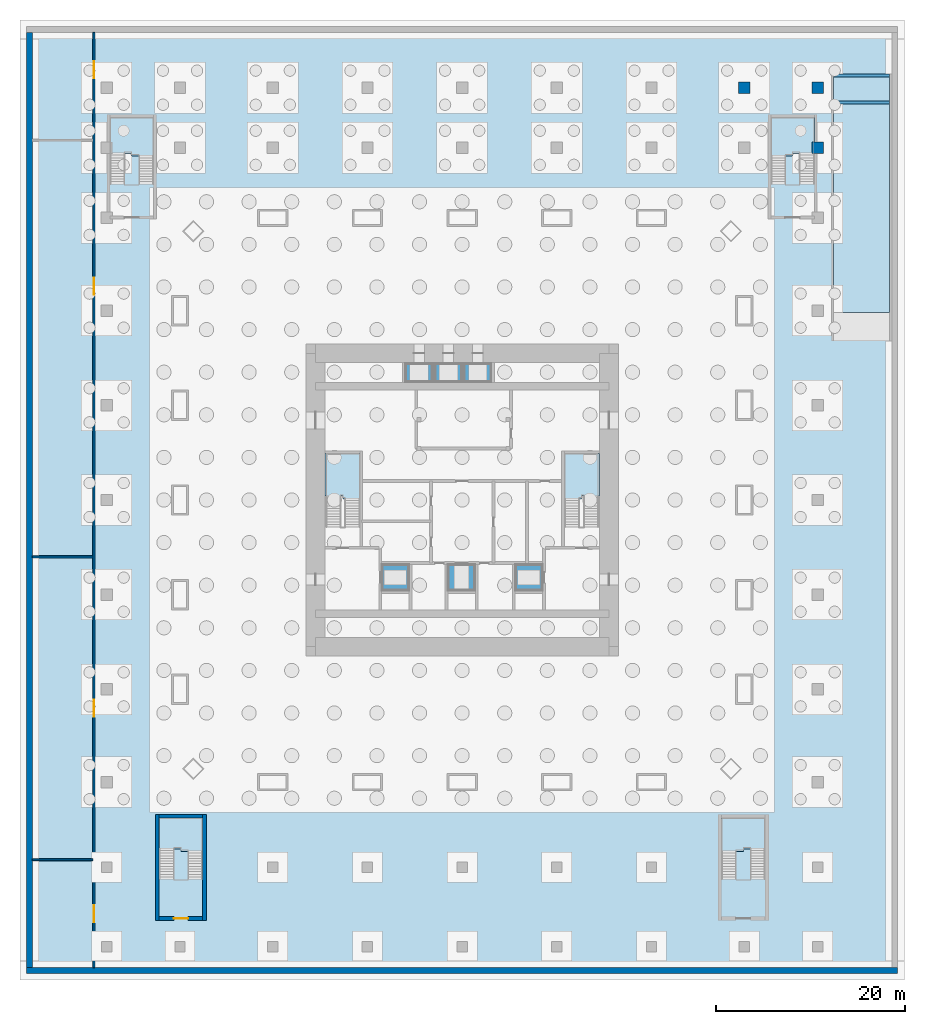
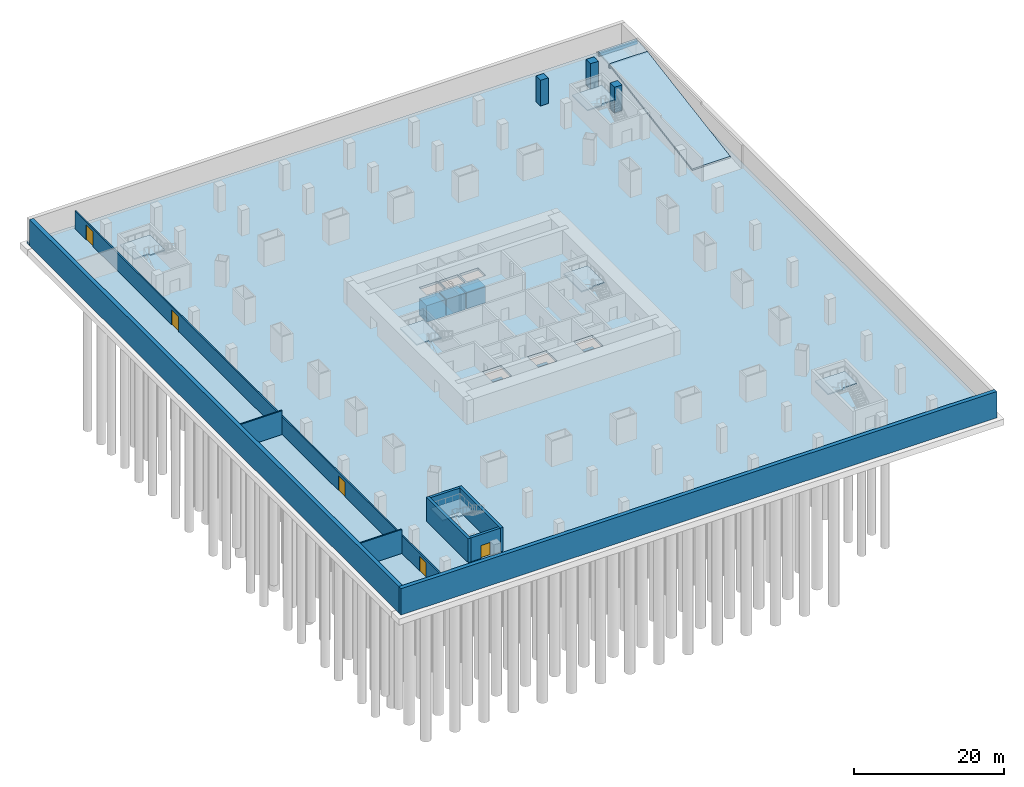
# One storey, part 3 of 11: 15 slabs, 9 walls, 5 doors, 3 columns, 2 beams, 5 openings, 7 elements without a shape of their own.
"""IFC4 building model written with IfcOpenShell, lengths in metres."""

from ifc_helpers import new_model, si_unit, direction, frame, frame_2d, origin, origin_2d, place, context, subcontext, project, spatial, polyline, rectangle, outline, extrude, material, layer, layer_set, material_profile, profile_set, type_object, element, fill, aggregate, save


model = new_model("IFC4")

# Units and contexts
model_context = context("Model", 3, precision=1e-05, world=origin(), true_north=direction((0.0, 1.0)))
body_context = subcontext(model_context, "Body", "Model", "MODEL_VIEW")
ifc_project = project(units=[si_unit("LENGTHUNIT", "METRE"), si_unit("AREAUNIT", "SQUARE_METRE"), si_unit("VOLUMEUNIT", "CUBIC_METRE"), si_unit("PLANEANGLEUNIT", "RADIAN"), si_unit("MASSUNIT", "GRAM", prefix="KILO")], contexts=[model_context])

# Site, building, storey
site_placement = place(None, origin())
site = spatial("IfcSite", under=ifc_project, at=site_placement, CompositionType="ELEMENT")
building_placement = place(site_placement, origin())
building = spatial("IfcBuilding", under=site, at=building_placement, Name="Khuree Lantern Residences", CompositionType="ELEMENT")
storey_placement = place(building_placement, frame((0.0, 0.0, -13.199951171875)))
storey = spatial("IfcBuildingStorey", under=building, at=storey_placement, Name="B3", CompositionType="ELEMENT", Elevation=-13.199951171875)

# Columns
ifc_material_1 = material(Name="Concrete C70/85", Category="concrete")
ifc_material_profile_1 = material_profile(ifc_material_1, rectangle(XDim=1.199951171875, YDim=1.199951171875, at=origin_2d()), Name="RC 1200X1200")
ifc_profile_set_1 = profile_set([ifc_material_profile_1], Name="Concrete C70/85")
column_type = type_object("IfcColumnType", Name="GC1 PODIUM COLUMN RC 1200X1200", PredefinedType="COLUMN", material=ifc_profile_set_1)
for number, where, z_axis, x_axis, name in (
    (1, (37.550048828125, 37.199951171875, -0.400146484375), (0.0, 0.0, 1.0), (1.0, 0.0, 0.0), "Column GC-39"),
    (2, (29.800048828125, 43.550048828125, -0.400146484375), (0.0, 0.0, 1.0), (1.0, 0.0, 0.0), "Column GC-47"),
    (3, (37.550048828125, 43.550048828125, -0.400146484375), (0.0, 0.0, 1.0), (1.0, 0.0, 0.0), "Column GC-48"),
):
    element("IfcColumn", number, at=place(storey_placement, frame(where, z_axis=z_axis, x_axis=x_axis)), inside=storey, type_object=column_type, Name=name, PredefinedType="COLUMN", context=body_context, shape_type="SweptSolid", body=[
        extrude(rectangle(XDim=1.199951171875, YDim=1.199951171875, at=origin_2d()), origin(), (0.0, 0.0, 1.0), 4.60009765625),
    ])

# Beams
ifc_material_2 = material(Name="Concrete C40/50", Category="concrete")
ifc_material_profile_2 = material_profile(ifc_material_2, rectangle(XDim=0.300048828125, YDim=0.449951171875, at=origin_2d()), Name="RC 300X450")
ifc_profile_set_2 = profile_set([ifc_material_profile_2], Name="Concrete C40/50")
beam_type = type_object("IfcBeamType", Name="RAMP BEAM RMB1 RC 300X450", PredefinedType="BEAM", material=ifc_profile_set_2)
for number, where, z_axis, x_axis, name in (
    (4, (39.25, 42.0, 3.474853515625), (1.0, 0.0, 0.0), (0.0, 1.0, 0.0), "Car park ramp, B2 to B3 joint beam"),
    (5, (39.25, 44.85009765625, 3.724853515625), (1.0, 0.0, 0.0), (0.0, 1.0, 0.0), "Car park ramp, B2 to B3 head beam"),
):
    element("IfcBeam", number, at=place(storey_placement, frame(where, z_axis=z_axis, x_axis=x_axis)), inside=storey, type_object=beam_type, Name=name, PredefinedType="BEAM", context=body_context, shape_type="SweptSolid", body=[
        extrude(rectangle(XDim=0.300048828125, YDim=0.449951171875, at=origin_2d()), origin(), (0.0, 0.0, 1.0), 5.89990234375),
    ])

# Slabs
ifc_layer_1 = layer(ifc_material_2, 0.39990234375)
ifc_layer_set_1 = layer_set([ifc_layer_1], Name="BS1 BASE SLAB 400")
slab_type_1 = type_object("IfcSlabType", Name="BS1 BASE SLAB 400", PredefinedType="BASESLAB", material=ifc_layer_set_1)
slab_1_placement = place(storey_placement, frame((0.0, 0.0, -0.400146484375)))
element("IfcSlab", 6, at=slab_1_placement, inside=storey, type_object=slab_type_1, Name="Base slab", PredefinedType="BASESLAB", context=body_context, shape_type="SweptSolid", body=[
    extrude(outline(polyline([(-46.0, -50.0), (-46.0, 50.0), (46.0, 50.0), (46.0, -50.0), (-46.0, -50.0)]), holes=[polyline([(5.60009765625, -6.800048828125), (5.60009765625, -9.60009765625), (8.5, -9.60009765625), (8.5, -6.800048828125), (5.60009765625, -6.800048828125)]), polyline([(0.199951171875, 14.449951171875), (0.199951171875, 12.449951171875), (3.10009765625, 12.449951171875), (3.10009765625, 14.449951171875), (0.199951171875, 14.449951171875)]), polyline([(-1.5, -6.800048828125), (-1.5, -9.60009765625), (1.39990234375, -9.60009765625), (1.39990234375, -6.800048828125), (-1.5, -6.800048828125)]), polyline([(-2.89990234375, 14.449951171875), (-2.89990234375, 12.449951171875), (0.0, 12.449951171875), (0.0, 14.449951171875), (-2.89990234375, 14.449951171875)]), polyline([(-6.0, 12.449951171875), (-3.10009765625, 12.449951171875), (-3.10009765625, 14.449951171875), (-6.0, 14.449951171875), (-6.0, 12.449951171875)]), polyline([(-8.5, -9.60009765625), (-5.60009765625, -9.60009765625), (-5.60009765625, -6.800048828125), (-8.5, -6.800048828125), (-8.5, -9.60009765625)])]), origin(), (0.0, 0.0, 1.0), 0.400146484375),
])
ifc_layer_2 = layer(ifc_material_2, 2.699951171875)
ifc_layer_set_2 = layer_set([ifc_layer_2], Name="LIFT PIT BASE SLAB PS1 1200")
slab_type_2 = type_object("IfcSlabType", Name="LIFT PIT BASE SLAB PS1 1200", PredefinedType="FLOOR", material=ifc_layer_set_2)
slab_2_placement = place(storey_placement, frame((0.0, 0.0, -4.5)))
element("IfcSlab", 7, at=slab_2_placement, inside=storey, type_object=slab_type_2, Name="Lift FL1 pit slab", PredefinedType="FLOOR", context=body_context, shape_type="SweptSolid", body=[
    extrude(outline(polyline([(-8.5, -9.60009765625), (-5.60009765625, -9.60009765625), (-5.60009765625, -6.800048828125), (-8.5, -6.800048828125), (-8.5, -9.60009765625)])), origin(), (0.0, 0.0, 1.0), 2.699951171875),
])
slab_3_placement = place(storey_placement, frame((0.0, 0.0, -4.5)))
element("IfcSlab", 8, at=slab_3_placement, inside=storey, type_object=slab_type_2, Name="Lift FL2 pit slab", PredefinedType="FLOOR", context=body_context, shape_type="SweptSolid", body=[
    extrude(outline(polyline([(5.60009765625, -9.60009765625), (8.5, -9.60009765625), (8.5, -6.800048828125), (5.60009765625, -6.800048828125), (5.60009765625, -9.60009765625)])), origin(), (0.0, 0.0, 1.0), 2.699951171875),
])
slab_4_placement = place(storey_placement, frame((0.0, 0.0, -4.5)))
element("IfcSlab", 9, at=slab_4_placement, inside=storey, type_object=slab_type_2, Name="Lift PL1 pit slab", PredefinedType="FLOOR", context=body_context, shape_type="SweptSolid", body=[
    extrude(outline(polyline([(-6.0, 12.449951171875), (-3.10009765625, 12.449951171875), (-3.10009765625, 14.449951171875), (-6.0, 14.449951171875), (-6.0, 12.449951171875)])), origin(), (0.0, 0.0, 1.0), 2.699951171875),
])
slab_5_placement = place(storey_placement, frame((0.0, 0.0, -4.5)))
element("IfcSlab", 10, at=slab_5_placement, inside=storey, type_object=slab_type_2, Name="Lift PL2 pit slab", PredefinedType="FLOOR", context=body_context, shape_type="SweptSolid", body=[
    extrude(outline(polyline([(-2.89990234375, 12.449951171875), (0.0, 12.449951171875), (0.0, 14.449951171875), (-2.89990234375, 14.449951171875), (-2.89990234375, 12.449951171875)])), origin(), (0.0, 0.0, 1.0), 2.699951171875),
])
slab_6_placement = place(storey_placement, frame((0.0, 0.0, -4.5)))
element("IfcSlab", 11, at=slab_6_placement, inside=storey, type_object=slab_type_2, Name="Lift PL3 pit slab", PredefinedType="FLOOR", context=body_context, shape_type="SweptSolid", body=[
    extrude(outline(polyline([(0.199951171875, 12.449951171875), (3.10009765625, 12.449951171875), (3.10009765625, 14.449951171875), (0.199951171875, 14.449951171875), (0.199951171875, 12.449951171875)])), origin(), (0.0, 0.0, 1.0), 2.699951171875),
])
slab_7_placement = place(storey_placement, frame((0.0, 0.0, -4.5)))
element("IfcSlab", 12, at=slab_7_placement, inside=storey, type_object=slab_type_2, Name="Lift SL1 pit slab", PredefinedType="FLOOR", context=body_context, shape_type="SweptSolid", body=[
    extrude(outline(polyline([(-1.5, -9.60009765625), (1.39990234375, -9.60009765625), (1.39990234375, -6.800048828125), (-1.5, -6.800048828125), (-1.5, -9.60009765625)])), origin(), (0.0, 0.0, 1.0), 2.699951171875),
])

# Ramp, slabs
ramp_placement = place(storey_placement, origin())
ramp = element("IfcRamp", 13, at=ramp_placement, inside=storey, Name="Car park ramp, B2 to B3", PredefinedType="STRAIGHT_RUN_RAMP")
ifc_layer_3 = layer(ifc_material_2, 0.25)
ifc_layer_set_3 = layer_set([ifc_layer_3], Name="RAMP SLAB RMS1 C40/50 250")
slab_type_3 = type_object("IfcSlabType", Name="RAMP SLAB RMS1 C40/50 250", PredefinedType="FLOOR", material=ifc_layer_set_3)
slab_8_placement = place(storey_placement, frame((39.25, 45.0, 4.199951171875), z_axis=(0.0, -0.083045479854, 0.996545758245), x_axis=(1.0, 0.0, 0.0)))
slab_8 = element("IfcSlab", 14, at=slab_8_placement, type_object=slab_type_3, Name="Car park ramp, B2 to B3 flight 1", PredefinedType="FLOOR", context=body_context, shape_type="SweptSolid", body=[
    extrude(outline(polyline([(0.0, 0.0), (5.89990234375, 0.0), (5.89990234375, -3.010398644698074), (0.0, -3.010398644698074), (0.0, 0.0)])), origin(), (0.0, -0.083045479854, -0.996545758245), 0.25),
])
slab_9_placement = place(storey_placement, frame((39.25, 42.0, 3.949951171875), z_axis=(0.0, -0.164397228215, 0.986394217012), x_axis=(1.0, 0.0, 0.0)))
slab_9 = element("IfcSlab", 15, at=slab_9_placement, type_object=slab_type_3, Name="Car park ramp, B2 to B3 flight 2", PredefinedType="FLOOR", context=body_context, shape_type="SweptSolid", body=[
    extrude(outline(polyline([(0.0, 0.0), (5.89990234375, 0.0), (5.89990234375, -22.506165171079083), (0.0, -22.506165171079083), (0.0, 0.0)])), origin(), (0.0, -0.164397228215, -0.986394217012), 0.25),
])
aggregate(ramp, [slab_8, slab_9])

# Stair, slab
stair_type_1 = type_object("IfcStairType", Name="STAIR ST1 HALF TURN 3600", PredefinedType="HALF_TURN_STAIR", material=ifc_material_2)
stair_1_placement = place(storey_placement, origin())
stair_1 = element("IfcStair", 16, at=stair_1_placement, inside=storey, type_object=stair_type_1, Name="Stair ST1", PredefinedType="HALF_TURN_STAIR")
ifc_layer_4 = layer(ifc_material_2, 0.199951171875)
ifc_layer_set_4 = layer_set([ifc_layer_4], Name="STAIR LANDING SL1 200")
slab_type_4 = type_object("IfcSlabType", Name="STAIR LANDING SL1 200", PredefinedType="LANDING", material=ifc_layer_set_4)
slab_10_placement = place(storey_placement, frame((0.0, 0.0, 1.98388671875)))
slab_10 = element("IfcSlab", 17, at=slab_10_placement, type_object=slab_type_4, Name="ST1 landing 1", PredefinedType="LANDING", context=body_context, shape_type="SweptSolid", body=[
    extrude(outline(polyline([(-14.5, 0.39990234375), (-14.5, 4.89990234375), (-10.800048828125, 4.89990234375), (-10.800048828125, 0.1201171875), (-12.60009765625, 0.1201171875), (-12.60009765625, 0.39990234375), (-14.5, 0.39990234375)])), origin(), (0.0, 0.0, 1.0), 0.199951171875),
])
aggregate(stair_1, [slab_10])

stair_2_placement = place(storey_placement, origin())
stair_2 = element("IfcStair", 18, at=stair_2_placement, inside=storey, type_object=stair_type_1, Name="Stair ST2", PredefinedType="HALF_TURN_STAIR")
slab_11_placement = place(storey_placement, frame((0.0, 0.0, 1.98388671875)))
slab_11 = element("IfcSlab", 19, at=slab_11_placement, type_object=slab_type_4, Name="ST2 landing 1", PredefinedType="LANDING", context=body_context, shape_type="SweptSolid", body=[
    extrude(outline(polyline([(14.5, 4.89990234375), (14.5, 0.39990234375), (12.60009765625, 0.39990234375), (12.60009765625, 0.1201171875), (10.800048828125, 0.1201171875), (10.800048828125, 4.89990234375), (14.5, 4.89990234375)])), origin(), (0.0, 0.0, 1.0), 0.199951171875),
])
aggregate(stair_2, [slab_11])

stair_type_2 = type_object("IfcStairType", Name="STAIR ST3 HALF TURN 4600", PredefinedType="HALF_TURN_STAIR", material=ifc_material_2)
stair_3_placement = place(storey_placement, origin())
stair_3 = element("IfcStair", 20, at=stair_3_placement, inside=storey, type_object=stair_type_2, Name="Stair ST5", PredefinedType="HALF_TURN_STAIR")
slab_12_placement = place(storey_placement, frame((0.0, 0.0, 1.98388671875)))
slab_12 = element("IfcSlab", 21, at=slab_12_placement, type_object=slab_type_4, Name="ST5 landing 1", PredefinedType="LANDING", context=body_context, shape_type="SweptSolid", body=[
    extrude(outline(polyline([(-32.0, -36.840087890625), (-32.0, -33.60009765625), (-27.39990234375, -33.60009765625), (-27.39990234375, -37.1201171875), (-29.699951171875, -37.1201171875), (-29.699951171875, -36.840087890625), (-32.0, -36.840087890625)])), origin(), (0.0, 0.0, 1.0), 0.199951171875),
])
aggregate(stair_3, [slab_12])

stair_4_placement = place(storey_placement, origin())
stair_4 = element("IfcStair", 22, at=stair_4_placement, inside=storey, type_object=stair_type_2, Name="Stair ST6", PredefinedType="HALF_TURN_STAIR")
slab_13_placement = place(storey_placement, frame((0.0, 0.0, 1.98388671875)))
slab_13 = element("IfcSlab", 23, at=slab_13_placement, type_object=slab_type_4, Name="ST6 landing 1", PredefinedType="LANDING", context=body_context, shape_type="SweptSolid", body=[
    extrude(outline(polyline([(32.0, -33.60009765625), (32.0, -36.840087890625), (29.699951171875, -36.840087890625), (29.699951171875, -37.1201171875), (27.39990234375, -37.1201171875), (27.39990234375, -33.60009765625), (32.0, -33.60009765625)])), origin(), (0.0, 0.0, 1.0), 0.199951171875),
])
aggregate(stair_4, [slab_13])

stair_5_placement = place(storey_placement, origin())
stair_5 = element("IfcStair", 24, at=stair_5_placement, inside=storey, type_object=stair_type_2, Name="Stair ST3", PredefinedType="HALF_TURN_STAIR")
slab_14_placement = place(storey_placement, frame((0.0, 0.0, 1.98388671875)))
slab_14 = element("IfcSlab", 25, at=slab_14_placement, type_object=slab_type_4, Name="ST3 landing 1", PredefinedType="LANDING", context=body_context, shape_type="SweptSolid", body=[
    extrude(outline(polyline([(-37.199951171875, 36.60009765625), (-37.199951171875, 40.39990234375), (-32.60009765625, 40.39990234375), (-32.60009765625, 36.320068359375), (-34.89990234375, 36.320068359375), (-34.89990234375, 36.60009765625), (-37.199951171875, 36.60009765625)])), origin(), (0.0, 0.0, 1.0), 0.199951171875),
])
aggregate(stair_5, [slab_14])

stair_6_placement = place(storey_placement, origin())
stair_6 = element("IfcStair", 26, at=stair_6_placement, inside=storey, type_object=stair_type_2, Name="Stair ST4", PredefinedType="HALF_TURN_STAIR")
slab_15_placement = place(storey_placement, frame((0.0, 0.0, 1.98388671875)))
slab_15 = element("IfcSlab", 27, at=slab_15_placement, type_object=slab_type_4, Name="ST4 landing 1", PredefinedType="LANDING", context=body_context, shape_type="SweptSolid", body=[
    extrude(outline(polyline([(37.199951171875, 40.39990234375), (37.199951171875, 36.60009765625), (34.89990234375, 36.60009765625), (34.89990234375, 36.320068359375), (32.60009765625, 36.320068359375), (32.60009765625, 40.39990234375), (37.199951171875, 40.39990234375)])), origin(), (0.0, 0.0, 1.0), 0.199951171875),
])
aggregate(stair_6, [slab_15])

# Wall, openings, doors
ifc_material_3 = material(Name="Dense concrete blockwork", Category="masonry")
ifc_layer_5 = layer(ifc_material_3, 0.199951171875)
ifc_layer_set_5 = layer_set([ifc_layer_5], Name="ROOM WALL RMW200")
wall_type_1 = type_object("IfcWallType", Name="ROOM WALL RMW200", PredefinedType="SOLIDWALL", material=ifc_layer_set_5)
wall_1_placement = place(storey_placement, frame((-38.89990234375, -49.3798828125, 0.0), z_axis=(0.0, 0.0, 1.0), x_axis=(0.0, 1.0, 0.0)))
wall_1 = element("IfcWall", 28, at=wall_1_placement, inside=storey, type_object=wall_type_1, Name="B3 ROOM WALL 1", PredefinedType="SOLIDWALL", context=body_context, shape_type="SweptSolid", body=[
    extrude(rectangle(XDim=98.759765625, YDim=0.199951171875, at=frame_2d((49.3798828125, 0.0))), origin(), (0.0, 0.0, 1.0), 2.89990234375),
])
opening_1_placement = place(wall_1_placement, frame((4.77001953125, 0.0, 0.0)))
opening_1 = element("IfcOpeningElement", 29, at=opening_1_placement, cuts=wall_1, Name="Opening B3-025", PredefinedType="OPENING", context=body_context, shape_type="SweptSolid", body=[
    extrude(rectangle(XDim=1.800048828125, YDim=2.39990234375, at=frame_2d((0.89990234375, 1.199951171875))), frame((0.0, 0.10986328125, 0.0), z_axis=(0.0, -1.0, 0.0), x_axis=(1.0, 0.0, 0.0)), (0.0, 0.0, 1.0), 0.219970703125),
])
opening_2_placement = place(wall_1_placement, frame((26.469970703125, 0.0, 0.0)))
opening_2 = element("IfcOpeningElement", 30, at=opening_2_placement, cuts=wall_1, Name="Opening B3-026", PredefinedType="OPENING", context=body_context, shape_type="SweptSolid", body=[
    extrude(rectangle(XDim=1.800048828125, YDim=2.39990234375, at=frame_2d((0.89990234375, 1.199951171875))), frame((0.0, 0.10986328125, 0.0), z_axis=(0.0, -1.0, 0.0), x_axis=(1.0, 0.0, 0.0)), (0.0, 0.0, 1.0), 0.219970703125),
])
opening_3_placement = place(wall_1_placement, frame((71.072998046875, 0.0, 0.0)))
opening_3 = element("IfcOpeningElement", 31, at=opening_3_placement, cuts=wall_1, Name="Opening B3-027", PredefinedType="OPENING", context=body_context, shape_type="SweptSolid", body=[
    extrude(rectangle(XDim=1.800048828125, YDim=2.39990234375, at=frame_2d((0.89990234375, 1.199951171875))), frame((0.0, 0.10986328125, 0.0), z_axis=(0.0, -1.0, 0.0), x_axis=(1.0, 0.0, 0.0)), (0.0, 0.0, 1.0), 0.219970703125),
])
opening_4_placement = place(wall_1_placement, frame((93.903076171875, 0.0, 0.0)))
opening_4 = element("IfcOpeningElement", 32, at=opening_4_placement, cuts=wall_1, Name="Opening B3-028", PredefinedType="OPENING", context=body_context, shape_type="SweptSolid", body=[
    extrude(rectangle(XDim=1.800048828125, YDim=2.39990234375, at=frame_2d((0.89990234375, 1.199951171875))), frame((0.0, 0.10986328125, 0.0), z_axis=(0.0, -1.0, 0.0), x_axis=(1.0, 0.0, 0.0)), (0.0, 0.0, 1.0), 0.219970703125),
])
ifc_material_4 = material(Name="Timber door leaf in hardwood frame", Category="wood")
door_type_1 = type_object("IfcDoorType", Name="DOUBLE DOOR 1800X2400", OperationType="DOUBLE_DOOR_SINGLE_SWING", PredefinedType="DOOR", material=ifc_material_4)
door_1_placement = place(opening_1_placement, origin())
door_1 = element("IfcDoor", 33, at=door_1_placement, inside=storey, type_object=door_type_1, Name="Resident storage door B3-025", OperationType="DOUBLE_DOOR_SINGLE_SWING", OverallHeight=2.39990234375, OverallWidth=1.800048828125, PredefinedType="DOOR", context=body_context, shape_type="SweptSolid", body=[
    extrude(rectangle(XDim=1.800048828125, YDim=2.39990234375, at=frame_2d((0.89990234375, 1.199951171875))), frame((0.0, 0.02490234375, 0.0), z_axis=(0.0, -1.0, 0.0), x_axis=(1.0, 0.0, 0.0)), (0.0, 0.0, 1.0), 0.050048828125),
])
fill(opening_1, door_1)
door_2_placement = place(opening_2_placement, origin())
door_2 = element("IfcDoor", 34, at=door_2_placement, inside=storey, type_object=door_type_1, Name="Resident storage door B3-026", OperationType="DOUBLE_DOOR_SINGLE_SWING", OverallHeight=2.39990234375, OverallWidth=1.800048828125, PredefinedType="DOOR", context=body_context, shape_type="SweptSolid", body=[
    extrude(rectangle(XDim=1.800048828125, YDim=2.39990234375, at=frame_2d((0.89990234375, 1.199951171875))), frame((0.0, 0.02490234375, 0.0), z_axis=(0.0, -1.0, 0.0), x_axis=(1.0, 0.0, 0.0)), (0.0, 0.0, 1.0), 0.050048828125),
])
fill(opening_2, door_2)
door_3_placement = place(opening_3_placement, origin())
door_3 = element("IfcDoor", 35, at=door_3_placement, inside=storey, type_object=door_type_1, Name="Resident storage door B3-027", OperationType="DOUBLE_DOOR_SINGLE_SWING", OverallHeight=2.39990234375, OverallWidth=1.800048828125, PredefinedType="DOOR", context=body_context, shape_type="SweptSolid", body=[
    extrude(rectangle(XDim=1.800048828125, YDim=2.39990234375, at=frame_2d((0.89990234375, 1.199951171875))), frame((0.0, 0.02490234375, 0.0), z_axis=(0.0, -1.0, 0.0), x_axis=(1.0, 0.0, 0.0)), (0.0, 0.0, 1.0), 0.050048828125),
])
fill(opening_3, door_3)
door_4_placement = place(opening_4_placement, origin())
door_4 = element("IfcDoor", 36, at=door_4_placement, inside=storey, type_object=door_type_1, Name="Resident storage door B3-028", OperationType="DOUBLE_DOOR_SINGLE_SWING", OverallHeight=2.39990234375, OverallWidth=1.800048828125, PredefinedType="DOOR", context=body_context, shape_type="SweptSolid", body=[
    extrude(rectangle(XDim=1.800048828125, YDim=2.39990234375, at=frame_2d((0.89990234375, 1.199951171875))), frame((0.0, 0.02490234375, 0.0), z_axis=(0.0, -1.0, 0.0), x_axis=(1.0, 0.0, 0.0)), (0.0, 0.0, 1.0), 0.050048828125),
])
fill(opening_4, door_4)

# Walls
for number, where, z_axis, x_axis, name in (
    (37, (-45.3798828125, -38.0, 0.0), (0.0, 0.0, 1.0), (1.0, 0.0, 0.0), "B3 ROOM WALL 2"),
    (38, (-45.3798828125, -6.0, 0.0), (0.0, 0.0, 1.0), (1.0, 0.0, 0.0), "B3 ROOM WALL 3"),
):
    element("IfcWall", number, at=place(storey_placement, frame(where, z_axis=z_axis, x_axis=x_axis)), inside=storey, type_object=wall_type_1, Name=name, PredefinedType="SOLIDWALL", context=body_context, shape_type="SweptSolid", body=[
        extrude(rectangle(XDim=6.3798828125, YDim=0.199951171875, at=frame_2d((3.18994140625, 0.0))), origin(), (0.0, 0.0, 1.0), 3.89990234375),
    ])
ifc_layer_6 = layer(ifc_material_2, 0.60009765625)
ifc_layer_set_6 = layer_set([ifc_layer_6], Name="RW1 BASEMENT RETAINING WALL 600")
wall_type_2 = type_object("IfcWallType", Name="RW1 BASEMENT RETAINING WALL 600", PredefinedType="SOLIDWALL", material=ifc_layer_set_6)
wall_2_placement = place(storey_placement, frame((-46.0, -49.699951171875, -0.400146484375), z_axis=(0.0, 0.0, 1.0), x_axis=(1.0, 0.0, 0.0)))
element("IfcWall", 39, at=wall_2_placement, inside=storey, type_object=wall_type_2, Name="Retaining wall S", PredefinedType="SOLIDWALL", context=body_context, shape_type="SweptSolid", body=[
    extrude(rectangle(XDim=92.0, YDim=0.60009765625, at=frame_2d((46.0, 0.0))), origin(), (0.0, 0.0, 1.0), 4.300048828125),
])
wall_3_placement = place(storey_placement, frame((-45.699951171875, -49.39990234375, -0.400146484375), z_axis=(0.0, 0.0, 1.0), x_axis=(0.0, 1.0, 0.0)))
element("IfcWall", 40, at=wall_3_placement, inside=storey, type_object=wall_type_2, Name="Retaining wall W", PredefinedType="SOLIDWALL", context=body_context, shape_type="SweptSolid", body=[
    extrude(rectangle(XDim=98.7998046875, YDim=0.60009765625, at=frame_2d((49.39990234375, 0.0))), origin(), (0.0, 0.0, 1.0), 4.300048828125),
])
ifc_layer_7 = layer(ifc_material_2, 0.39990234375)
ifc_layer_set_7 = layer_set([ifc_layer_7], Name="STAIR WALL BSW400 REI 240")
wall_type_3 = type_object("IfcWallType", Name="STAIR WALL BSW400 REI 240", PredefinedType="SOLIDWALL", material=ifc_layer_set_7)
for number, where, z_axis, x_axis, name in (
    (41, (-32.199951171875, -44.39990234375, 0.0), (0.0, 0.0, 1.0), (0.0, 1.0, 0.0), "B3 STAIR ST5 WALL W"),
    (42, (-27.199951171875, -44.39990234375, 0.0), (0.0, 0.0, 1.0), (0.0, 1.0, 0.0), "B3 STAIR ST5 WALL E"),
):
    element("IfcWall", number, at=place(storey_placement, frame(where, z_axis=z_axis, x_axis=x_axis)), inside=storey, type_object=wall_type_3, Name=name, PredefinedType="SOLIDWALL", context=body_context, shape_type="SweptSolid", body=[
        extrude(rectangle(XDim=11.199951171875, YDim=0.39990234375, at=frame_2d((5.60009765625, 0.0))), origin(), (0.0, 0.0, 1.0), 3.89990234375),
    ])

# Wall, opening, door
wall_4_placement = place(storey_placement, frame((-32.0, -44.199951171875, 0.0), z_axis=(0.0, 0.0, 1.0), x_axis=(1.0, 0.0, 0.0)))
wall_4 = element("IfcWall", 43, at=wall_4_placement, inside=storey, type_object=wall_type_3, Name="B3 STAIR ST5 WALL S", PredefinedType="SOLIDWALL", context=body_context, shape_type="SweptSolid", body=[
    extrude(rectangle(XDim=4.60009765625, YDim=0.39990234375, at=frame_2d((2.300048828125, 0.0))), origin(), (0.0, 0.0, 1.0), 3.89990234375),
])
opening_5_placement = place(wall_4_placement, frame((1.550048828125, 0.0, 0.0)))
opening_5 = element("IfcOpeningElement", 44, at=opening_5_placement, cuts=wall_4, Name="Opening B3-021", PredefinedType="OPENING", context=body_context, shape_type="SweptSolid", body=[
    extrude(rectangle(XDim=1.5, YDim=2.10009765625, at=frame_2d((0.75, 1.050048828125))), frame((0.0, 0.2099609375, 0.0), z_axis=(0.0, -1.0, 0.0), x_axis=(1.0, 0.0, 0.0)), (0.0, 0.0, 1.0), 0.419921875),
])
ifc_material_5 = material(Name="Steel door leaf in steel frame", Category="steel")
door_type_2 = type_object("IfcDoorType", Name="STAIR DOOR 1500X2100 EI 120", OperationType="DOUBLE_DOOR_SINGLE_SWING", PredefinedType="DOOR", material=ifc_material_5)
door_5_placement = place(opening_5_placement, origin())
door_5 = element("IfcDoor", 45, at=door_5_placement, inside=storey, type_object=door_type_2, Name="Stair ST5 door B3-021", OperationType="DOUBLE_DOOR_SINGLE_SWING", OverallHeight=2.10009765625, OverallWidth=1.5, PredefinedType="DOOR", context=body_context, shape_type="SweptSolid", body=[
    extrude(rectangle(XDim=1.5, YDim=2.10009765625, at=frame_2d((0.75, 1.050048828125))), frame((0.0, 0.02490234375, 0.0), z_axis=(0.0, -1.0, 0.0), x_axis=(1.0, 0.0, 0.0)), (0.0, 0.0, 1.0), 0.050048828125),
])
fill(opening_5, door_5)

# Wall
wall_5_placement = place(storey_placement, frame((-32.0, -33.39990234375, 0.0), z_axis=(0.0, 0.0, 1.0), x_axis=(1.0, 0.0, 0.0)))
element("IfcWall", 46, at=wall_5_placement, inside=storey, type_object=wall_type_3, Name="B3 STAIR ST5 WALL N", PredefinedType="SOLIDWALL", context=body_context, shape_type="SweptSolid", body=[
    extrude(rectangle(XDim=4.60009765625, YDim=0.39990234375, at=frame_2d((2.300048828125, 0.0))), origin(), (0.0, 0.0, 1.0), 3.89990234375),
])

save(model, "model.ifc")
